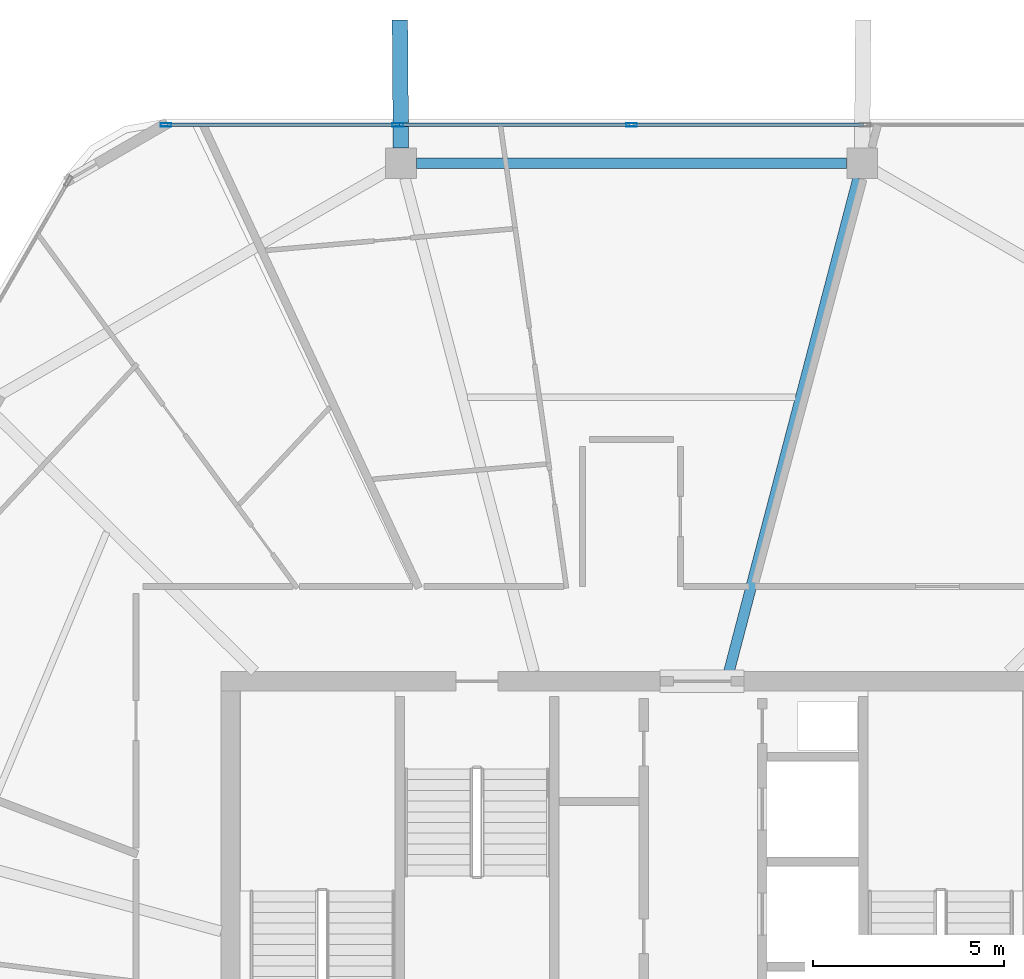
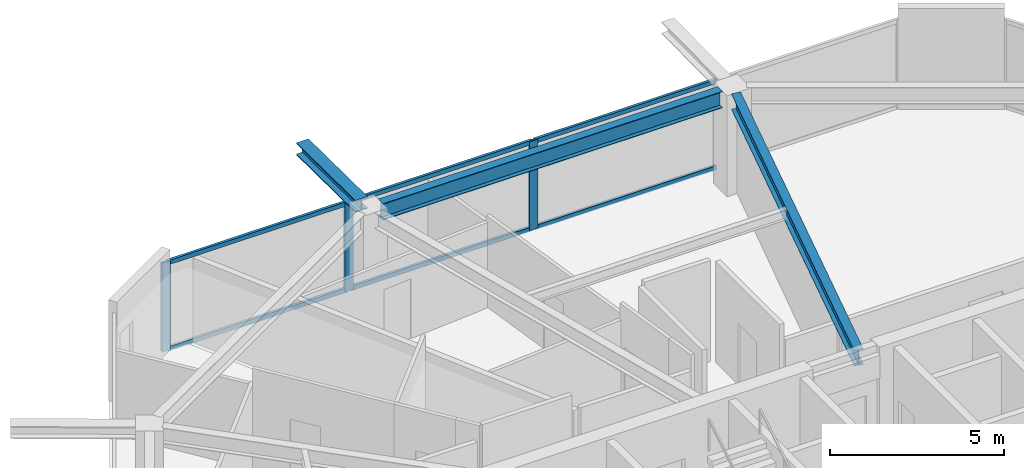
# One storey, part 9 of 21: 9 members, 3 beams, 1 element without a shape of its own.
"""IFC4 building model written with IfcOpenShell, lengths in metres."""

from ifc_helpers import new_model, si_unit, direction, frame, origin, origin_2d, place, context, subcontext, project, spatial, hollow_rectangle, i_section, extrude, material, material_profile, profile_set, type_object, element, aggregate, save


model = new_model("IFC4")

# Units and contexts
model_context = context("Model", 3, precision=1e-05, world=origin(), true_north=direction((0.0, 1.0)))
body_context = subcontext(model_context, "Body", "Model", "MODEL_VIEW")
ifc_project = project(units=[si_unit("LENGTHUNIT", "METRE"), si_unit("AREAUNIT", "SQUARE_METRE"), si_unit("VOLUMEUNIT", "CUBIC_METRE"), si_unit("PLANEANGLEUNIT", "RADIAN"), si_unit("MASSUNIT", "GRAM", prefix="KILO")], contexts=[model_context])

# Site, building, storey
site_placement = place(None, origin())
site = spatial("IfcSite", under=ifc_project, at=site_placement, CompositionType="ELEMENT")
building_placement = place(site_placement, origin())
building = spatial("IfcBuilding", under=site, at=building_placement, Name="Zuhravey Tower", CompositionType="ELEMENT")
storey_placement = place(building_placement, frame((0.0, 0.0, 319.60009765625)))
storey = spatial("IfcBuildingStorey", under=building, at=storey_placement, Name="L81", CompositionType="ELEMENT", Elevation=319.60009765625)

# Curtain wall, members
ifc_material_1 = material(Name="Thermally broken anodised aluminium", Category="aluminium")
curtain_wall_type = type_object("IfcCurtainWallType", Name="Zone 3-4 High-Rise Curtain Wall CW4", PredefinedType="NOTDEFINED", material=ifc_material_1)
curtain_wall_placement = place(storey_placement, origin())
curtain_wall = element("IfcCurtainWall", 1, at=curtain_wall_placement, inside=storey, type_object=curtain_wall_type, Name="L81 CW4 CW-L81-F2-1", PredefinedType="NOTDEFINED")
ifc_material_2 = material(Name="Anodised aluminium", Category="aluminium")
ifc_material_profile_1 = material_profile(ifc_material_2, hollow_rectangle(XDim=0.090087890625, YDim=0.284912109375, WallThickness=0.0048828125, at=origin_2d()), Name="ALU-RHS-90x285x5")
ifc_profile_set_1 = profile_set([ifc_material_profile_1], Name="Anodised aluminium")
member_type_1 = type_object("IfcMemberType", Name="Curtain-Wall Mullion 90x180", PredefinedType="MULLION", material=ifc_profile_set_1)
member_1_placement = place(storey_placement, frame((23.8056640625, 56.07421875, 0.0), z_axis=(0.0, 0.0, 1.0), x_axis=(0.0, 1.0, 0.0)))
member_1 = element("IfcMember", 2, at=member_1_placement, type_object=member_type_1, Name="CW4 mullion 1", PredefinedType="MULLION", context=body_context, shape_type="SweptSolid", body=[
    extrude(hollow_rectangle(XDim=0.090087890625, YDim=0.284912109375, WallThickness=0.0048828125, at=origin_2d()), origin(), (0.0, 0.0, 1.0), 3.121826171875),
])
member_2_placement = place(storey_placement, frame((29.88037109375, 56.07421875, 0.0), z_axis=(0.0, 0.0, 1.0), x_axis=(0.0, 1.0, 0.0)))
member_2 = element("IfcMember", 3, at=member_2_placement, type_object=member_type_1, Name="CW4 mullion 2", PredefinedType="MULLION", context=body_context, shape_type="SweptSolid", body=[
    extrude(hollow_rectangle(XDim=0.090087890625, YDim=0.284912109375, WallThickness=0.0048828125, at=origin_2d()), origin(), (0.0, 0.0, 1.0), 3.121826171875),
])
member_3_placement = place(storey_placement, frame((36.0, 56.07421875, 0.0), z_axis=(0.0, 0.0, 1.0), x_axis=(0.0, 1.0, 0.0)))
member_3 = element("IfcMember", 4, at=member_3_placement, type_object=member_type_1, Name="CW4 mullion 3", PredefinedType="MULLION", context=body_context, shape_type="SweptSolid", body=[
    extrude(hollow_rectangle(XDim=0.090087890625, YDim=0.284912109375, WallThickness=0.0048828125, at=origin_2d()), origin(), (0.0, 0.0, 1.0), 3.121826171875),
])
ifc_material_profile_2 = material_profile(ifc_material_2, hollow_rectangle(XDim=0.090087890625, YDim=0.14990234375, WallThickness=0.0048828125, at=origin_2d()), Name="ALU-RHS-90x150x5")
ifc_profile_set_2 = profile_set([ifc_material_profile_2], Name="Anodised aluminium")
member_type_2 = type_object("IfcMemberType", Name="Curtain-Wall Transom 90x150", PredefinedType="USERDEFINED", material=ifc_profile_set_2)
member_4_placement = place(storey_placement, frame((23.8505859375, 56.07421875, 0.044921875), z_axis=(1.0, 0.0, 0.0), x_axis=(0.0, 1.0, 0.0)))
member_4 = element("IfcMember", 5, at=member_4_placement, type_object=member_type_2, Name="CW4 transom 1.1", ObjectType="TRANSOM", PredefinedType="USERDEFINED", context=body_context, shape_type="SweptSolid", body=[
    extrude(hollow_rectangle(XDim=0.090087890625, YDim=0.14990234375, WallThickness=0.0048828125, at=origin_2d()), origin(), (0.0, 0.0, 1.0), 5.98486328125),
])
member_5_placement = place(storey_placement, frame((23.8505859375, 56.07421875, 3.076904296875), z_axis=(1.0, 0.0, 0.0), x_axis=(0.0, 1.0, 0.0)))
member_5 = element("IfcMember", 6, at=member_5_placement, type_object=member_type_2, Name="CW4 transom 1.2", ObjectType="TRANSOM", PredefinedType="USERDEFINED", context=body_context, shape_type="SweptSolid", body=[
    extrude(hollow_rectangle(XDim=0.090087890625, YDim=0.14990234375, WallThickness=0.0048828125, at=origin_2d()), origin(), (0.0, 0.0, 1.0), 5.98486328125),
])
member_6_placement = place(storey_placement, frame((29.92529296875, 56.07421875, 0.044921875), z_axis=(1.0, 0.0, 0.0), x_axis=(0.0, 1.0, 0.0)))
member_6 = element("IfcMember", 7, at=member_6_placement, type_object=member_type_2, Name="CW4 transom 2.1", ObjectType="TRANSOM", PredefinedType="USERDEFINED", context=body_context, shape_type="SweptSolid", body=[
    extrude(hollow_rectangle(XDim=0.090087890625, YDim=0.14990234375, WallThickness=0.0048828125, at=origin_2d()), origin(), (0.0, 0.0, 1.0), 6.02978515625),
])
member_7_placement = place(storey_placement, frame((29.92529296875, 56.07421875, 3.076904296875), z_axis=(1.0, 0.0, 0.0), x_axis=(0.0, 1.0, 0.0)))
member_7 = element("IfcMember", 8, at=member_7_placement, type_object=member_type_2, Name="CW4 transom 2.2", ObjectType="TRANSOM", PredefinedType="USERDEFINED", context=body_context, shape_type="SweptSolid", body=[
    extrude(hollow_rectangle(XDim=0.090087890625, YDim=0.14990234375, WallThickness=0.0048828125, at=origin_2d()), origin(), (0.0, 0.0, 1.0), 6.02978515625),
])
member_8_placement = place(storey_placement, frame((36.044921875, 56.07421875, 0.044921875), z_axis=(1.0, 0.0, 0.0), x_axis=(0.0, 1.0, 0.0)))
member_8 = element("IfcMember", 9, at=member_8_placement, type_object=member_type_2, Name="CW4 transom 3.1", ObjectType="TRANSOM", PredefinedType="USERDEFINED", context=body_context, shape_type="SweptSolid", body=[
    extrude(hollow_rectangle(XDim=0.090087890625, YDim=0.14990234375, WallThickness=0.0048828125, at=origin_2d()), origin(), (0.0, 0.0, 1.0), 6.02978515625),
])
member_9_placement = place(storey_placement, frame((36.044921875, 56.07421875, 3.076904296875), z_axis=(1.0, 0.0, 0.0), x_axis=(0.0, 1.0, 0.0)))
member_9 = element("IfcMember", 10, at=member_9_placement, type_object=member_type_2, Name="CW4 transom 3.2", ObjectType="TRANSOM", PredefinedType="USERDEFINED", context=body_context, shape_type="SweptSolid", body=[
    extrude(hollow_rectangle(XDim=0.090087890625, YDim=0.14990234375, WallThickness=0.0048828125, at=origin_2d()), origin(), (0.0, 0.0, 1.0), 6.02978515625),
])
aggregate(curtain_wall, [member_1, member_2, member_3, member_4, member_5, member_6, member_7, member_8, member_9])

# Beams
ifc_material_3 = material(Name="Steel SM460", Category="steel")
ifc_material_profile_3 = material_profile(ifc_material_3, i_section(OverallWidth=0.406982421875, OverallDepth=0.427978515625, WebThickness=0.02001953125, FlangeThickness=0.034912109375, at=origin_2d()), Name="H-428x407x20x35")
ifc_profile_set_3 = profile_set([ifc_material_profile_3], Name="Steel SM460")
beam_type_1 = type_object("IfcBeamType", Name="Exoskeleton Node Tie Beam H428x407", PredefinedType="BEAM", material=ifc_profile_set_3)
beam_1_placement = place(storey_placement, frame((29.958251953125, 55.468017578125, 3.3359375), z_axis=(-0.007649492054, 0.999970742208, 0.0), x_axis=(-0.999970742208, -0.007649492054, 0.0)))
element("IfcBeam", 11, at=beam_1_placement, inside=storey, type_object=beam_type_1, Name="L81 Exoskeleton Node Tie NT1-04", PredefinedType="BEAM", context=body_context, shape_type="SweptSolid", body=[
    extrude(i_section(OverallWidth=0.406982421875, OverallDepth=0.427978515625, WebThickness=0.02001953125, FlangeThickness=0.034912109375, at=origin_2d()), origin(), (0.0, 0.0, 1.0), 3.35107421875),
])
ifc_material_4 = material(Name="Steel SM355", Category="steel")
ifc_material_profile_4 = material_profile(ifc_material_4, i_section(OverallWidth=0.280029296875, OverallDepth=0.580078125, WebThickness=0.011962890625, FlangeThickness=0.01904296875, at=origin_2d()), Name="H-580x280x12x19")
ifc_profile_set_4 = profile_set([ifc_material_profile_4], Name="Steel SM355")
beam_type_2 = type_object("IfcBeamType", Name="Perimeter Ring Beam H580x280", PredefinedType="BEAM", material=ifc_profile_set_4)
beam_2_placement = place(storey_placement, frame((41.6357421875, 55.064208984375, 3.260009765625), z_axis=(-1.0, 0.0, 0.0), x_axis=(0.0, -1.0, 0.0)))
element("IfcBeam", 12, at=beam_2_placement, inside=storey, type_object=beam_type_2, Name="L81 PB4 BM-L81-PB-03", PredefinedType="BEAM", context=body_context, shape_type="SweptSolid", body=[
    extrude(i_section(OverallWidth=0.280029296875, OverallDepth=0.580078125, WebThickness=0.011962890625, FlangeThickness=0.01904296875, at=origin_2d()), origin(), (0.0, 0.0, 1.0), 11.271484375),
])
ifc_material_profile_5 = material_profile(ifc_material_4, i_section(OverallWidth=0.280029296875, OverallDepth=0.550048828125, WebThickness=0.010986328125, FlangeThickness=0.01806640625, at=origin_2d()), Name="H-550x280x11x18")
ifc_profile_set_5 = profile_set([ifc_material_profile_5], Name="Steel SM355")
beam_type_3 = type_object("IfcBeamType", Name="Radial Primary Girder H550x280", PredefinedType="BEAM", material=ifc_profile_set_5)
beam_3_placement = place(storey_placement, frame((38.553466796875, 41.7529296875, 3.27490234375), z_axis=(0.253281197106, 0.967392699576, 0.0), x_axis=(-0.967392699576, 0.253281197106, 0.0)))
element("IfcBeam", 13, at=beam_3_placement, inside=storey, type_object=beam_type_3, Name="L81 RG4 BM-L81-RAD-03", PredefinedType="BEAM", context=body_context, shape_type="SweptSolid", body=[
    extrude(i_section(OverallWidth=0.280029296875, OverallDepth=0.550048828125, WebThickness=0.010986328125, FlangeThickness=0.01806640625, at=origin_2d()), origin(), (0.0, 0.0, 1.0), 13.35693359375),
])

save(model, "model.ifc")
